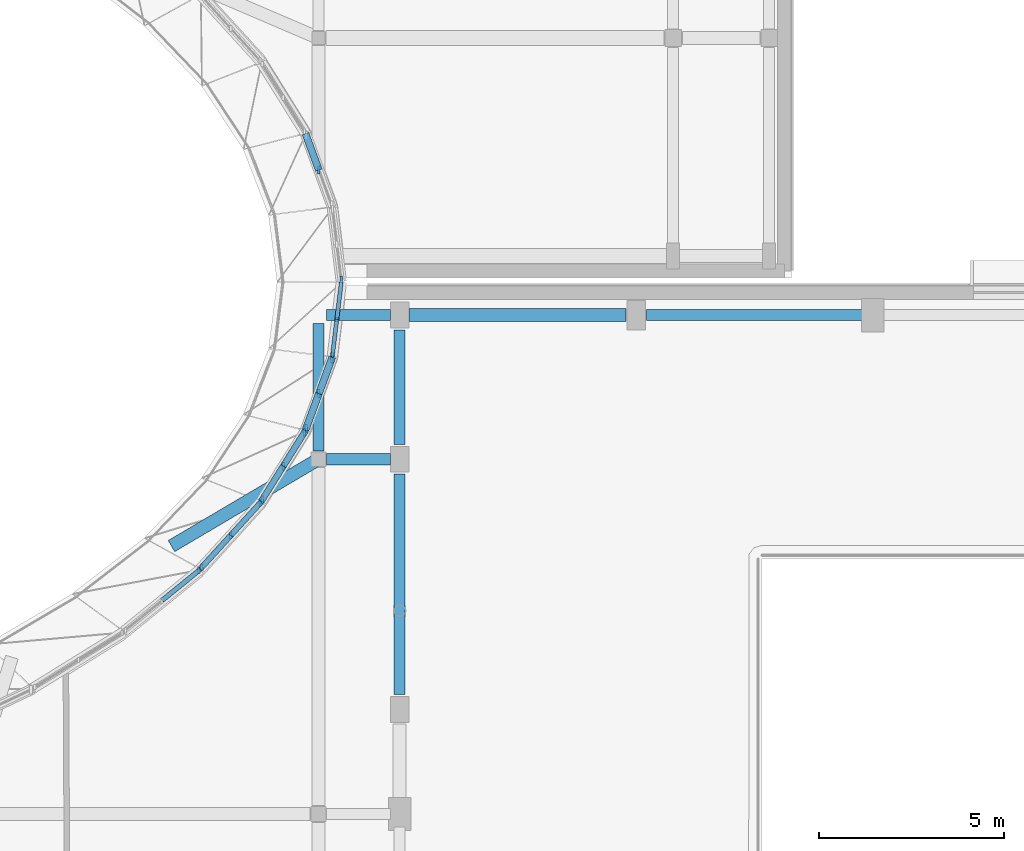
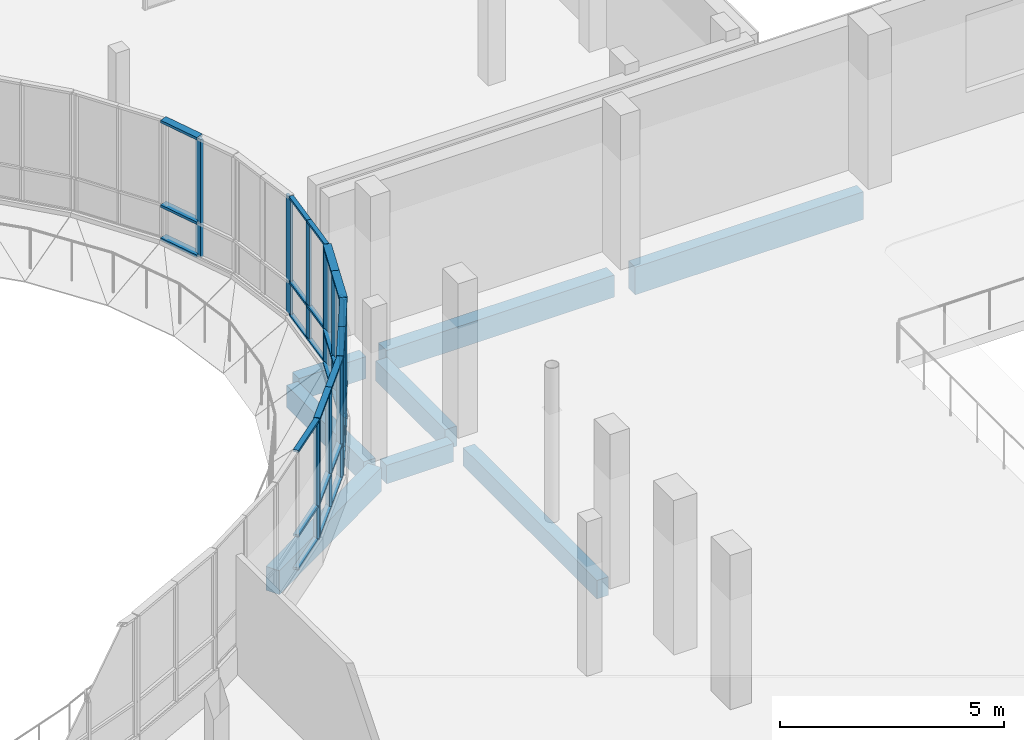
# One storey, part 25 of 84: 44 members, 8 beams, 7 elements without a shape of their own.
"""IFC4 building model written with IfcOpenShell, lengths in metres."""

import ifcopenshell
import ifcopenshell.guid

model = None  # the IFC model being written
_history = None  # IfcOwnerHistory: only IFC2X3 demands one
_inside = {}  # id of a spatial element -> (the spatial element, [elements in it])
_under = {}  # id of a project, library or spatial element -> (it, [spatial elements below it])
_declared = {}  # id of a project -> (the project, [libraries it declares])
_typed = {}  # id of a type object -> (the type object, [elements of that type])
_made_of = {}  # id of a material, layer set ... -> (it, [elements and type objects made of it])


def new_model(schema):
    """Start an empty IFC model of exactly this schema.

    Asked for "IFC4X3", IfcOpenShell would pick the latest addendum, in which some entities
    have other attributes; the version numbers below select the first issue.
    IFC2X3 requires an IfcOwnerHistory on every rooted entity: one is made here for all.
    """
    global model, _history
    if schema == "IFC4X3":
        model = ifcopenshell.file(schema_version=(4, 3, 0, 0))
    else:
        model = ifcopenshell.file(schema=schema)
    _inside.clear()
    _under.clear()
    _declared.clear()
    _typed.clear()
    _made_of.clear()
    _history = None
    if model.schema == "IFC2X3":
        org = make("IfcOrganization", Name="unknown")
        user = make(
            "IfcPersonAndOrganization",
            ThePerson=make("IfcPerson", FamilyName="unknown"),
            TheOrganization=org,
        )
        app = make(
            "IfcApplication",
            ApplicationDeveloper=org,
            Version="unknown",
            ApplicationFullName="unknown",
            ApplicationIdentifier="unknown",
        )
        _history = make(
            "IfcOwnerHistory",
            OwningUser=user,
            OwningApplication=app,
            ChangeAction="ADDED",
            CreationDate=0,
        )
    return model


def make(cls, **values):
    """One entity of the class cls with the attributes given. An attribute that is None is left unset."""
    return model.create_entity(
        cls, **{name: value for name, value in values.items() if value is not None}
    )


def rooted(cls, **values):
    """An entity with a GlobalId (a new one), such as an element, a storey or a relation."""
    return make(cls, GlobalId=ifcopenshell.guid.new(), OwnerHistory=_history, **values)


def si_unit(unit_type, name, prefix=None):
    """IfcSIUnit, for example si_unit("LENGTHUNIT", "METRE", prefix="MILLI")."""
    return make("IfcSIUnit", UnitType=unit_type, Prefix=prefix, Name=name)


def assignment(units):
    """IfcUnitAssignment: the units of a project."""
    return None if units is None else make("IfcUnitAssignment", Units=units)


def point(xyz):
    """IfcCartesianPoint."""
    return None if xyz is None else make("IfcCartesianPoint", Coordinates=xyz)


def direction(xyz):
    """IfcDirection."""
    return None if xyz is None else make("IfcDirection", DirectionRatios=xyz)


def frame(location, z_axis=None, x_axis=None):
    """IfcAxis2Placement3D, a coordinate frame: its origin and axes. An axis left out is left unset."""
    return make(
        "IfcAxis2Placement3D",
        Location=point(location),
        Axis=direction(z_axis),
        RefDirection=direction(x_axis),
    )


def frame_2d(location, x_axis=None):
    """IfcAxis2Placement2D, a coordinate frame in the plane: its origin and x axis."""
    return make(
        "IfcAxis2Placement2D", Location=point(location), RefDirection=direction(x_axis)
    )


def origin():
    """The frame at (0, 0, 0) with its axes left unset."""
    return frame((0.0, 0.0, 0.0))


def origin_2d():
    """The frame at (0, 0) in the plane with its x axis left unset."""
    return frame_2d((0.0, 0.0))


def place(relative_to, where):
    """IfcLocalPlacement: puts the frame where relative to a parent placement (None: the world)."""
    return make(
        "IfcLocalPlacement", PlacementRelTo=relative_to, RelativePlacement=where
    )


def context(
    kind, dimensions, precision=None, world=None, true_north=None, identifier=None
):
    """IfcGeometricRepresentationContext, for example the 3D "Model" context."""
    return make(
        "IfcGeometricRepresentationContext",
        ContextIdentifier=identifier,
        ContextType=kind,
        CoordinateSpaceDimension=dimensions,
        Precision=precision,
        WorldCoordinateSystem=world,
        TrueNorth=true_north,
    )


def subcontext(parent, identifier, kind, view, scale=None):
    """IfcGeometricRepresentationSubContext, for example "Body" below "Model"."""
    return make(
        "IfcGeometricRepresentationSubContext",
        ContextIdentifier=identifier,
        ContextType=kind,
        ParentContext=parent,
        TargetScale=scale,
        TargetView=view,
    )


def project(units=None, contexts=None):
    """IfcProject with its units and contexts."""
    return rooted(
        "IfcProject",
        Name="project",
        RepresentationContexts=contexts,
        UnitsInContext=assignment(units),
    )


def spatial(cls, under=None, at=None, **own):
    """A site, building, storey or space (cls), placed at a placement, below another one or the project."""
    s = rooted(cls, ObjectPlacement=at, **own)
    if under is not None:
        _under.setdefault(under.id(), (under, []))[1].append(s)
    return s


def profile(cls, at=None, kind="AREA", **sizes):
    """A parametric profile (cls). Its sizes go by their IFC names, for example OverallWidth=200.0."""
    return make(cls, ProfileType=kind, Position=at, **sizes)


def rectangle(**sizes):
    """IfcRectangleProfileDef."""
    return profile("IfcRectangleProfileDef", **sizes)


def extrude(swept, where, along, depth):
    """IfcExtrudedAreaSolid: the profile swept, set in the frame where, extruded along a direction by depth."""
    return make(
        "IfcExtrudedAreaSolid",
        SweptArea=swept,
        Position=where,
        ExtrudedDirection=direction(along),
        Depth=depth,
    )


def shape(context_of_items, identifier, shape_type, items):
    """IfcShapeRepresentation: the items that make up one representation, for example the "Body"."""
    return make(
        "IfcShapeRepresentation",
        ContextOfItems=context_of_items,
        RepresentationIdentifier=identifier,
        RepresentationType=shape_type,
        Items=items,
    )


def material(Name=None, Category=None):
    """IfcMaterial."""
    return make("IfcMaterial", Name=Name, Category=Category)


def material_profile(
    of_material, cross_section, Name=None, Category=None, Priority=None
):
    """IfcMaterialProfile: a cross section and its material."""
    return make(
        "IfcMaterialProfile",
        Name=Name,
        Material=of_material,
        Profile=cross_section,
        Priority=Priority,
        Category=Category,
    )


def profile_set(profiles, Name=None, composite=None):
    """IfcMaterialProfileSet."""
    return make(
        "IfcMaterialProfileSet",
        Name=Name,
        MaterialProfiles=profiles,
        CompositeProfile=composite,
    )


def made_of(thing, what):
    """Note that an element or type object is made of a material, layer set ...; save() writes the relation."""
    if what is not None:
        _made_of.setdefault(what.id(), (what, []))[1].append(thing)
    return thing


def type_object(cls, material=None, **own):
    """A type object (cls), such as IfcWallType, which elements share."""
    return made_of(rooted(cls, **own), material)


def element(
    cls,
    number,
    at=None,
    inside=None,
    cuts=None,
    type_object=None,
    material=None,
    context=None,
    identifier="Body",
    shape_type=None,
    held_by="IfcProductDefinitionShape",
    body=None,
    shapes=None,
    **own,
):
    """One element of the class cls, such as IfcWall. Its Tag is "e" and its number.

    at: its placement. inside: the storey or other place that contains it. cuts: it is an
    opening in that element (IfcRelVoidsElement). A single representation is given by context,
    identifier, shape_type and body (its items); several are given by shapes. held_by: the class
    of the entity that holds the representations. save() writes the other relations.
    """
    e = rooted(cls, Tag="e%d" % number, ObjectPlacement=at, **own)
    if body is not None:
        shapes = [shape(context, identifier, shape_type, body)]
    if shapes is not None:
        e.Representation = make(held_by, Representations=shapes)
    if inside is not None:
        _inside.setdefault(inside.id(), (inside, []))[1].append(e)
    if cuts is not None:
        rooted(
            "IfcRelVoidsElement", RelatingBuildingElement=cuts, RelatedOpeningElement=e
        )
    if type_object is not None:
        _typed.setdefault(type_object.id(), (type_object, []))[1].append(e)
    return made_of(e, material)


def aggregate(whole, parts):
    """IfcRelAggregates: a whole, such as a stair, and the parts it consists of."""
    return rooted("IfcRelAggregates", RelatingObject=whole, RelatedObjects=parts)


def save(model, path):
    """Write the relations noted so far, then the file.

    IfcRelAggregates (storeys below a building ...), IfcRelContainedInSpatialStructure (elements
    in a storey), IfcRelDefinesByType, IfcRelAssociatesMaterial and IfcRelDeclares: one each for
    every whole, place, type object, material and project.
    """
    for whole, parts in _under.values():
        aggregate(whole, parts)
    for where, things in _inside.values():
        rooted(
            "IfcRelContainedInSpatialStructure",
            RelatedElements=things,
            RelatingStructure=where,
        )
    for kind, things in _typed.values():
        rooted("IfcRelDefinesByType", RelatedObjects=things, RelatingType=kind)
    for what, things in _made_of.values():
        rooted("IfcRelAssociatesMaterial", RelatedObjects=things, RelatingMaterial=what)
    for by, libraries in _declared.values():
        rooted("IfcRelDeclares", RelatingContext=by, RelatedDefinitions=libraries)
    model.write(path)


model = new_model("IFC4")

# Units and contexts
model_context = context("Model", 3, precision=1e-05, world=origin(), true_north=direction((0.0, 1.0)))
body_context = subcontext(model_context, "Body", "Model", "MODEL_VIEW")
ifc_project = project(units=[si_unit("LENGTHUNIT", "METRE"), si_unit("AREAUNIT", "SQUARE_METRE"), si_unit("VOLUMEUNIT", "CUBIC_METRE"), si_unit("PLANEANGLEUNIT", "RADIAN"), si_unit("MASSUNIT", "GRAM", prefix="KILO")], contexts=[model_context])

# Site, building, storey
site_placement = place(None, origin())
site = spatial("IfcSite", under=ifc_project, at=site_placement, CompositionType="ELEMENT")
building_placement = place(site_placement, origin())
building = spatial("IfcBuilding", under=site, at=building_placement, Name="Mzevani Central Library", CompositionType="ELEMENT")
storey_placement = place(building_placement, frame((0.0, 0.0, 5.39990234375)))
storey = spatial("IfcBuildingStorey", under=building, at=storey_placement, Name="L01", CompositionType="ELEMENT", Elevation=5.39990234375)

# Beams
ifc_material_1 = material(Name="Concrete C35/45", Category="concrete")
ifc_material_profile_1 = material_profile(ifc_material_1, rectangle(XDim=0.300048828125, YDim=0.5, at=origin_2d()), Name="RC B300x500")
ifc_profile_set_1 = profile_set([ifc_material_profile_1], Name="Concrete C35/45")
beam_type_1 = type_object("IfcBeamType", Name="Beam RC 300x500", PredefinedType="BEAM", material=ifc_profile_set_1)
beam_1_placement = place(storey_placement, frame((112.22509765625, 71.199951171875, -0.510009765625), z_axis=(1.0, 0.0, 0.0), x_axis=(0.0, 1.0, 0.0)))
element("IfcBeam", 1, at=beam_1_placement, inside=storey, type_object=beam_type_1, Name="L01 V1 Girder B-01 (32)", PredefinedType="BEAM", context=body_context, shape_type="SweptSolid", body=[
    extrude(rectangle(XDim=0.300048828125, YDim=0.5, at=origin_2d()), origin(), (0.0, 0.0, 1.0), 1.724853515625),
])
beam_2_placement = place(storey_placement, frame((114.199951171875, 64.8330078125, -0.510009765625), z_axis=(0.0, 1.0, 0.0), x_axis=(-1.0, 0.0, 0.0)))
element("IfcBeam", 2, at=beam_2_placement, inside=storey, type_object=beam_type_1, Name="L01 V1 Frame Beam B-01 (64)", PredefinedType="BEAM", context=body_context, shape_type="SweptSolid", body=[
    extrude(rectangle(XDim=0.300048828125, YDim=0.5, at=origin_2d()), origin(), (0.0, 0.0, 1.0), 5.967041015625),
])
ifc_material_profile_2 = material_profile(ifc_material_1, rectangle(XDim=0.300048828125, YDim=0.550048828125, at=origin_2d()), Name="RC B300x550")
ifc_profile_set_2 = profile_set([ifc_material_profile_2], Name="Concrete C35/45")
beam_type_2 = type_object("IfcBeamType", Name="Beam RC 300x550", PredefinedType="BEAM", material=ifc_profile_set_2)
beam_3_placement = place(storey_placement, frame((114.199951171875, 71.60009765625, -0.534912109375), z_axis=(0.0, 1.0, 0.0), x_axis=(-1.0, 0.0, 0.0)))
element("IfcBeam", 3, at=beam_3_placement, inside=storey, type_object=beam_type_2, Name="L01 V1 Frame Beam B-02 (65)", PredefinedType="BEAM", context=body_context, shape_type="SweptSolid", body=[
    extrude(rectangle(XDim=0.300048828125, YDim=0.550048828125, at=origin_2d()), origin(), (0.0, 0.0, 1.0), 3.099853515625),
])
ifc_material_profile_3 = material_profile(ifc_material_1, rectangle(XDim=0.300048828125, YDim=0.60009765625, at=origin_2d()), Name="RC B300x600")
ifc_profile_set_3 = profile_set([ifc_material_profile_3], Name="Concrete C35/45")
beam_type_3 = type_object("IfcBeamType", Name="Beam RC 300x600", PredefinedType="BEAM", material=ifc_profile_set_3)
beam_4_placement = place(storey_placement, frame((112.22509765625, 75.10009765625, -0.559814453125), z_axis=(1.0, 0.0, 0.0), x_axis=(0.0, 1.0, 0.0)))
element("IfcBeam", 4, at=beam_4_placement, inside=storey, type_object=beam_type_3, Name="L01 V1 Girder B-03 (34)", PredefinedType="BEAM", context=body_context, shape_type="SweptSolid", body=[
    extrude(rectangle(XDim=0.300048828125, YDim=0.60009765625, at=origin_2d()), origin(), (0.0, 0.0, 1.0), 1.724853515625),
])
beam_5_placement = place(storey_placement, frame((112.0, 71.425048828125, -0.559814453125), z_axis=(0.0, 1.0, 0.0), x_axis=(-1.0, 0.0, 0.0)))
element("IfcBeam", 5, at=beam_5_placement, inside=storey, type_object=beam_type_3, Name="L01 V1 Frame Beam B-03 (58)", PredefinedType="BEAM", context=body_context, shape_type="SweptSolid", body=[
    extrude(rectangle(XDim=0.300048828125, YDim=0.60009765625, at=origin_2d()), origin(), (0.0, 0.0, 1.0), 3.449951171875),
])
ifc_material_profile_4 = material_profile(ifc_material_1, rectangle(XDim=0.35009765625, YDim=0.60009765625, at=origin_2d()), Name="RC B350x600")
ifc_profile_set_4 = profile_set([ifc_material_profile_4], Name="Concrete C35/45")
beam_type_4 = type_object("IfcBeamType", Name="Beam RC 350x600", PredefinedType="BEAM", material=ifc_profile_set_4)
beam_6_placement = place(storey_placement, frame((114.449951171875, 75.10009765625, -0.559814453125), z_axis=(1.0, 0.0, 0.0), x_axis=(0.0, 1.0, 0.0)))
element("IfcBeam", 6, at=beam_6_placement, inside=storey, type_object=beam_type_4, Name="L01 V1 Girder B-04 (35)", PredefinedType="BEAM", context=body_context, shape_type="SweptSolid", body=[
    extrude(rectangle(XDim=0.35009765625, YDim=0.60009765625, at=origin_2d()), origin(), (0.0, 0.0, 1.0), 5.875),
])
ifc_material_profile_5 = material_profile(ifc_material_1, rectangle(XDim=0.35009765625, YDim=0.64990234375, at=origin_2d()), Name="RC B350x650")
ifc_profile_set_5 = profile_set([ifc_material_profile_5], Name="Concrete C35/45")
beam_type_5 = type_object("IfcBeamType", Name="Beam RC 350x650", PredefinedType="BEAM", material=ifc_profile_set_5)
beam_7_placement = place(storey_placement, frame((108.02392578125, 68.85107421875, -0.5849609375), z_axis=(0.860985461005, 0.508629566519, 0.0), x_axis=(-0.508629566519, 0.860985461005, 0.0)))
element("IfcBeam", 7, at=beam_7_placement, inside=storey, type_object=beam_type_5, Name="L01 V1 Court Ring Beam 15", PredefinedType="BEAM", context=body_context, shape_type="SweptSolid", body=[
    extrude(rectangle(XDim=0.35009765625, YDim=0.64990234375, at=origin_2d()), origin(), (0.0, 0.0, 1.0), 4.6181640625),
])

# Curtain wall, members
ifc_material_2 = material(Name="Thermally broken aluminium and Low-E triple glazing", Category="aluminium")
curtain_wall_type_1 = type_object("IfcCurtainWallType", Name="Elliptical Court Unitised Curtain Wall", PredefinedType="NOTDEFINED", material=ifc_material_2)
curtain_wall_1_placement = place(storey_placement, origin())
curtain_wall_1 = element("IfcCurtainWall", 8, at=curtain_wall_1_placement, inside=storey, type_object=curtain_wall_type_1, Name="L01 Elliptical Court Curtain Wall 48", PredefinedType="NOTDEFINED")
ifc_material_3 = material(Name="Thermally broken aluminium AW-6060", Category="aluminium")
ifc_material_profile_6 = material_profile(ifc_material_3, rectangle(XDim=0.06005859375, YDim=0.139892578125, at=origin_2d()), Name="ALU M60x140")
ifc_profile_set_6 = profile_set([ifc_material_profile_6], Name="Thermally broken aluminium AW-6060")
member_type_1 = type_object("IfcMemberType", Name="CW Mullion 60x140", PredefinedType="MULLION", material=ifc_profile_set_6)
member_1_placement = place(storey_placement, frame((112.3828125, 74.030029296875, 0.72021484375), z_axis=(0.0, 0.0, 1.0), x_axis=(1.0, 0.0, 0.0)))
member_1 = element("IfcMember", 9, at=member_1_placement, type_object=member_type_1, Name="L01 Elliptical Court Curtain Wall 48 Mullion 1", PredefinedType="MULLION", context=body_context, shape_type="SweptSolid", body=[
    extrude(rectangle(XDim=0.06005859375, YDim=0.139892578125, at=origin_2d()), origin(), (0.0, 0.0, 1.0), 3.199951171875),
])
member_2_placement = place(storey_placement, frame((112.498291015625, 74.986328125, 0.72021484375), z_axis=(0.0, 0.0, 1.0), x_axis=(1.0, 0.0, 0.0)))
member_2 = element("IfcMember", 10, at=member_2_placement, type_object=member_type_1, Name="L01 Elliptical Court Curtain Wall 48 Mullion 2", PredefinedType="MULLION", context=body_context, shape_type="SweptSolid", body=[
    extrude(rectangle(XDim=0.06005859375, YDim=0.139892578125, at=origin_2d()), origin(), (0.0, 0.0, 1.0), 3.199951171875),
])

# Curtain wall, member
curtain_wall_2_placement = place(storey_placement, origin())
curtain_wall_2 = element("IfcCurtainWall", 11, at=curtain_wall_2_placement, inside=storey, type_object=curtain_wall_type_1, Name="L01 Elliptical Court Curtain Wall 44", PredefinedType="NOTDEFINED")
ifc_material_profile_7 = material_profile(ifc_material_3, rectangle(XDim=0.06005859375, YDim=0.159912109375, at=origin_2d()), Name="ALU M60x160")
ifc_profile_set_7 = profile_set([ifc_material_profile_7], Name="Thermally broken aluminium AW-6060")
member_type_2 = type_object("IfcMemberType", Name="CW Mullion 60x160", PredefinedType="MULLION", material=ifc_profile_set_7)
member_3_placement = place(storey_placement, frame((108.76318359375, 68.187255859375, 0.72021484375), z_axis=(0.0, 0.0, 1.0), x_axis=(1.0, 0.0, 0.0)))
member_3 = element("IfcMember", 12, at=member_3_placement, type_object=member_type_2, Name="L01 Elliptical Court Curtain Wall 44 Mullion 3", PredefinedType="MULLION", context=body_context, shape_type="SweptSolid", body=[
    extrude(rectangle(XDim=0.06005859375, YDim=0.159912109375, at=origin_2d()), origin(), (0.0, 0.0, 1.0), 3.199951171875),
])

# Curtain wall, members
curtain_wall_3_placement = place(storey_placement, origin())
curtain_wall_3 = element("IfcCurtainWall", 13, at=curtain_wall_3_placement, inside=storey, type_object=curtain_wall_type_1, Name="L01 Elliptical Court Curtain Wall 45", PredefinedType="NOTDEFINED")
ifc_material_profile_8 = material_profile(ifc_material_3, rectangle(XDim=0.06005859375, YDim=0.179931640625, at=origin_2d()), Name="ALU M60x180")
ifc_profile_set_8 = profile_set([ifc_material_profile_8], Name="Thermally broken aluminium AW-6060")
member_type_3 = type_object("IfcMemberType", Name="CW Mullion 60x180", PredefinedType="MULLION", material=ifc_profile_set_8)
member_4_placement = place(storey_placement, frame((108.84130859375, 68.27392578125, 0.72021484375), z_axis=(0.0, 0.0, 1.0), x_axis=(1.0, 0.0, 0.0)))
member_4 = element("IfcMember", 14, at=member_4_placement, type_object=member_type_3, Name="L01 Elliptical Court Curtain Wall 45 Mullion 1", PredefinedType="MULLION", context=body_context, shape_type="SweptSolid", body=[
    extrude(rectangle(XDim=0.06005859375, YDim=0.179931640625, at=origin_2d()), origin(), (0.0, 0.0, 1.0), 3.199951171875),
])
member_5_placement = place(storey_placement, frame((109.629150390625, 69.14111328125, 0.72021484375), z_axis=(0.0, 0.0, 1.0), x_axis=(1.0, 0.0, 0.0)))
member_5 = element("IfcMember", 15, at=member_5_placement, type_object=member_type_3, Name="L01 Elliptical Court Curtain Wall 45 Mullion 2", PredefinedType="MULLION", context=body_context, shape_type="SweptSolid", body=[
    extrude(rectangle(XDim=0.06005859375, YDim=0.179931640625, at=origin_2d()), origin(), (0.0, 0.0, 1.0), 3.199951171875),
])
member_6_placement = place(storey_placement, frame((110.4169921875, 70.008056640625, 0.72021484375), z_axis=(0.0, 0.0, 1.0), x_axis=(1.0, 0.0, 0.0)))
member_6 = element("IfcMember", 16, at=member_6_placement, type_object=member_type_3, Name="L01 Elliptical Court Curtain Wall 45 Mullion 3", PredefinedType="MULLION", context=body_context, shape_type="SweptSolid", body=[
    extrude(rectangle(XDim=0.06005859375, YDim=0.179931640625, at=origin_2d()), origin(), (0.0, 0.0, 1.0), 3.199951171875),
])

# Curtain wall, member
curtain_wall_type_2 = type_object("IfcCurtainWallType", Name="Reading Hall Northlight Curtain Wall", PredefinedType="NOTDEFINED", material=ifc_material_2)
curtain_wall_4_placement = place(storey_placement, origin())
curtain_wall_4 = element("IfcCurtainWall", 17, at=curtain_wall_4_placement, inside=storey, type_object=curtain_wall_type_2, Name="L01 Elliptical Court Curtain Wall 1", PredefinedType="NOTDEFINED")
ifc_material_profile_9 = material_profile(ifc_material_3, rectangle(XDim=0.06494140625, YDim=0.199951171875, at=origin_2d()), Name="ALU M65x200")
ifc_profile_set_9 = profile_set([ifc_material_profile_9], Name="Thermally broken aluminium AW-6060")
member_type_4 = type_object("IfcMemberType", Name="CW Mullion 65x200", PredefinedType="MULLION", material=ifc_profile_set_9)
member_7_placement = place(storey_placement, frame((112.614013671875, 76.057373046875, 0.72021484375), z_axis=(0.0, 0.0, 1.0), x_axis=(1.0, 0.0, 0.0)))
member_7 = element("IfcMember", 18, at=member_7_placement, type_object=member_type_4, Name="L01 Elliptical Court Curtain Wall 1 Mullion 1", PredefinedType="MULLION", context=body_context, shape_type="SweptSolid", body=[
    extrude(rectangle(XDim=0.06494140625, YDim=0.199951171875, at=origin_2d()), origin(), (0.0, 0.0, 1.0), 3.199951171875),
])
aggregate(curtain_wall_4, [member_7])

# Curtain wall, members
curtain_wall_5_placement = place(storey_placement, origin())
curtain_wall_5 = element("IfcCurtainWall", 19, at=curtain_wall_5_placement, inside=storey, type_object=curtain_wall_type_2, Name="L01 Elliptical Court Curtain Wall 46", PredefinedType="NOTDEFINED")
member_8_placement = place(storey_placement, frame((110.48095703125, 70.1044921875, 0.72021484375), z_axis=(0.0, 0.0, 1.0), x_axis=(1.0, 0.0, 0.0)))
member_8 = element("IfcMember", 20, at=member_8_placement, type_object=member_type_4, Name="L01 Elliptical Court Curtain Wall 46 Mullion 1", PredefinedType="MULLION", context=body_context, shape_type="SweptSolid", body=[
    extrude(rectangle(XDim=0.06494140625, YDim=0.199951171875, at=origin_2d()), origin(), (0.0, 0.0, 1.0), 3.199951171875),
])
member_9_placement = place(storey_placement, frame((111.051513671875, 71.0166015625, 0.72021484375), z_axis=(0.0, 0.0, 1.0), x_axis=(1.0, 0.0, 0.0)))
member_9 = element("IfcMember", 21, at=member_9_placement, type_object=member_type_4, Name="L01 Elliptical Court Curtain Wall 46 Mullion 2", PredefinedType="MULLION", context=body_context, shape_type="SweptSolid", body=[
    extrude(rectangle(XDim=0.06494140625, YDim=0.199951171875, at=origin_2d()), origin(), (0.0, 0.0, 1.0), 3.199951171875),
])
member_10_placement = place(storey_placement, frame((111.6220703125, 71.9287109375, 0.72021484375), z_axis=(0.0, 0.0, 1.0), x_axis=(1.0, 0.0, 0.0)))
member_10 = element("IfcMember", 22, at=member_10_placement, type_object=member_type_4, Name="L01 Elliptical Court Curtain Wall 46 Mullion 3", PredefinedType="MULLION", context=body_context, shape_type="SweptSolid", body=[
    extrude(rectangle(XDim=0.06494140625, YDim=0.199951171875, at=origin_2d()), origin(), (0.0, 0.0, 1.0), 3.199951171875),
])

# Curtain wall, member
curtain_wall_6_placement = place(storey_placement, origin())
curtain_wall_6 = element("IfcCurtainWall", 23, at=curtain_wall_6_placement, inside=storey, type_object=curtain_wall_type_1, Name="L01 Elliptical Court Curtain Wall 2", PredefinedType="NOTDEFINED")
ifc_material_profile_10 = material_profile(ifc_material_3, rectangle(XDim=0.070068359375, YDim=0.219970703125, at=origin_2d()), Name="ALU M70x220")
ifc_profile_set_10 = profile_set([ifc_material_profile_10], Name="Thermally broken aluminium AW-6060")
member_type_5 = type_object("IfcMemberType", Name="CW Mullion 70x220", PredefinedType="MULLION", material=ifc_profile_set_10)
member_11_placement = place(storey_placement, frame((112.013427734375, 79.02392578125, 0.72021484375), z_axis=(0.0, 0.0, 1.0), x_axis=(1.0, 0.0, 0.0)))
member_11 = element("IfcMember", 24, at=member_11_placement, type_object=member_type_5, Name="L01 Elliptical Court Curtain Wall 2 Mullion 2", PredefinedType="MULLION", context=body_context, shape_type="SweptSolid", body=[
    extrude(rectangle(XDim=0.070068359375, YDim=0.219970703125, at=origin_2d()), origin(), (0.0, 0.0, 1.0), 3.199951171875),
])

# Curtain wall, members
curtain_wall_7_placement = place(storey_placement, origin())
curtain_wall_7 = element("IfcCurtainWall", 25, at=curtain_wall_7_placement, inside=storey, type_object=curtain_wall_type_1, Name="L01 Elliptical Court Curtain Wall 47", PredefinedType="NOTDEFINED")
member_12_placement = place(storey_placement, frame((111.668212890625, 72.034423828125, 0.72021484375), z_axis=(0.0, 0.0, 1.0), x_axis=(1.0, 0.0, 0.0)))
member_12 = element("IfcMember", 26, at=member_12_placement, type_object=member_type_5, Name="L01 Elliptical Court Curtain Wall 47 Mullion 1", PredefinedType="MULLION", context=body_context, shape_type="SweptSolid", body=[
    extrude(rectangle(XDim=0.070068359375, YDim=0.219970703125, at=origin_2d()), origin(), (0.0, 0.0, 1.0), 3.199951171875),
])
member_13_placement = place(storey_placement, frame((112.013427734375, 72.97607421875, 0.72021484375), z_axis=(0.0, 0.0, 1.0), x_axis=(1.0, 0.0, 0.0)))
member_13 = element("IfcMember", 27, at=member_13_placement, type_object=member_type_5, Name="L01 Elliptical Court Curtain Wall 47 Mullion 2", PredefinedType="MULLION", context=body_context, shape_type="SweptSolid", body=[
    extrude(rectangle(XDim=0.070068359375, YDim=0.219970703125, at=origin_2d()), origin(), (0.0, 0.0, 1.0), 3.199951171875),
])
member_14_placement = place(storey_placement, frame((112.358642578125, 73.917724609375, 0.72021484375), z_axis=(0.0, 0.0, 1.0), x_axis=(1.0, 0.0, 0.0)))
member_14 = element("IfcMember", 28, at=member_14_placement, type_object=member_type_5, Name="L01 Elliptical Court Curtain Wall 47 Mullion 3", PredefinedType="MULLION", context=body_context, shape_type="SweptSolid", body=[
    extrude(rectangle(XDim=0.070068359375, YDim=0.219970703125, at=origin_2d()), origin(), (0.0, 0.0, 1.0), 3.199951171875),
])

# Member
ifc_material_profile_11 = material_profile(ifc_material_3, rectangle(XDim=0.110107421875, YDim=0.06005859375, at=origin_2d()), Name="ALU T60x110")
ifc_profile_set_11 = profile_set([ifc_material_profile_11], Name="Thermally broken aluminium AW-6060")
member_type_6 = type_object("IfcMemberType", Name="CW Transom 60x110", PredefinedType="USERDEFINED", material=ifc_profile_set_11)
member_15_placement = place(storey_placement, frame((112.376953125, 73.98046875, 0.72021484375), z_axis=(0.119762829535, 0.992802530548, 0.0), x_axis=(-0.992802530548, 0.119762829535, 0.0)))
member_15 = element("IfcMember", 29, at=member_15_placement, type_object=member_type_6, Name="L01 Elliptical Court Curtain Wall 48 Transom 1", ObjectType="TRANSOM", PredefinedType="USERDEFINED", context=body_context, shape_type="SweptSolid", body=[
    extrude(rectangle(XDim=0.110107421875, YDim=0.06005859375, at=origin_2d()), origin(), (0.0, 0.0, 1.0), 1.01318359375),
])

member_16_placement = place(storey_placement, frame((112.376953125, 73.98046875, 1.6201171875), z_axis=(0.119762829535, 0.992802530548, 0.0), x_axis=(-0.992802530548, 0.119762829535, 0.0)))
member_16 = element("IfcMember", 30, at=member_16_placement, type_object=member_type_6, Name="L01 Elliptical Court Curtain Wall 48 Transom 2", ObjectType="TRANSOM", PredefinedType="USERDEFINED", context=body_context, shape_type="SweptSolid", body=[
    extrude(rectangle(XDim=0.110107421875, YDim=0.06005859375, at=origin_2d()), origin(), (0.0, 0.0, 1.0), 1.01318359375),
])

member_17_placement = place(storey_placement, frame((112.376953125, 73.98046875, 3.920166015625), z_axis=(0.119762829535, 0.992802530548, 0.0), x_axis=(-0.992802530548, 0.119762829535, 0.0)))
member_17 = element("IfcMember", 31, at=member_17_placement, type_object=member_type_6, Name="L01 Elliptical Court Curtain Wall 48 Transom 3", ObjectType="TRANSOM", PredefinedType="USERDEFINED", context=body_context, shape_type="SweptSolid", body=[
    extrude(rectangle(XDim=0.110107421875, YDim=0.06005859375, at=origin_2d()), origin(), (0.0, 0.0, 1.0), 1.01318359375),
])

member_18_placement = place(storey_placement, frame((112.498291015625, 74.986328125, 0.72021484375), z_axis=(0.120000334448, 0.992773851253, 0.0), x_axis=(-0.992773851253, 0.120000334448, 0.0)))
member_18 = element("IfcMember", 32, at=member_18_placement, type_object=member_type_6, Name="L01 Elliptical Court Curtain Wall 48 Transom 4", ObjectType="TRANSOM", PredefinedType="USERDEFINED", context=body_context, shape_type="SweptSolid", body=[
    extrude(rectangle(XDim=0.110107421875, YDim=0.06005859375, at=origin_2d()), origin(), (0.0, 0.0, 1.0), 1.01318359375),
])

member_19_placement = place(storey_placement, frame((112.498291015625, 74.986328125, 1.6201171875), z_axis=(0.120000334448, 0.992773851253, 0.0), x_axis=(-0.992773851253, 0.120000334448, 0.0)))
member_19 = element("IfcMember", 33, at=member_19_placement, type_object=member_type_6, Name="L01 Elliptical Court Curtain Wall 48 Transom 5", ObjectType="TRANSOM", PredefinedType="USERDEFINED", context=body_context, shape_type="SweptSolid", body=[
    extrude(rectangle(XDim=0.110107421875, YDim=0.06005859375, at=origin_2d()), origin(), (0.0, 0.0, 1.0), 1.01318359375),
])

member_20_placement = place(storey_placement, frame((112.498291015625, 74.986328125, 3.920166015625), z_axis=(0.120000334448, 0.992773851253, 0.0), x_axis=(-0.992773851253, 0.120000334448, 0.0)))
member_20 = element("IfcMember", 34, at=member_20_placement, type_object=member_type_6, Name="L01 Elliptical Court Curtain Wall 48 Transom 6", ObjectType="TRANSOM", PredefinedType="USERDEFINED", context=body_context, shape_type="SweptSolid", body=[
    extrude(rectangle(XDim=0.110107421875, YDim=0.06005859375, at=origin_2d()), origin(), (0.0, 0.0, 1.0), 1.01318359375),
])

aggregate(curtain_wall_1, [member_1, member_2, member_15, member_16, member_17, member_18, member_19, member_20])

ifc_material_profile_12 = material_profile(ifc_material_3, rectangle(XDim=0.1298828125, YDim=0.06005859375, at=origin_2d()), Name="ALU T60x130")
ifc_profile_set_12 = profile_set([ifc_material_profile_12], Name="Thermally broken aluminium AW-6060")
member_type_7 = type_object("IfcMemberType", Name="CW Transom 60x130", PredefinedType="USERDEFINED", material=ifc_profile_set_12)
member_21_placement = place(storey_placement, frame((107.77001953125, 67.380615234375, 0.72021484375), z_axis=(0.776243179452, 0.63043360186, 0.0), x_axis=(-0.63043360186, 0.776243179452, 0.0)))
member_21 = element("IfcMember", 35, at=member_21_placement, type_object=member_type_7, Name="L01 Elliptical Court Curtain Wall 44 Transom 4", ObjectType="TRANSOM", PredefinedType="USERDEFINED", context=body_context, shape_type="SweptSolid", body=[
    extrude(rectangle(XDim=0.1298828125, YDim=0.06005859375, at=origin_2d()), origin(), (0.0, 0.0, 1.0), 1.329345703125),
])

member_22_placement = place(storey_placement, frame((107.77001953125, 67.380615234375, 1.6201171875), z_axis=(0.776243179452, 0.63043360186, 0.0), x_axis=(-0.63043360186, 0.776243179452, 0.0)))
member_22 = element("IfcMember", 36, at=member_22_placement, type_object=member_type_7, Name="L01 Elliptical Court Curtain Wall 44 Transom 5", ObjectType="TRANSOM", PredefinedType="USERDEFINED", context=body_context, shape_type="SweptSolid", body=[
    extrude(rectangle(XDim=0.1298828125, YDim=0.06005859375, at=origin_2d()), origin(), (0.0, 0.0, 1.0), 1.329345703125),
])

member_23_placement = place(storey_placement, frame((107.77001953125, 67.380615234375, 3.920166015625), z_axis=(0.776243179452, 0.63043360186, 0.0), x_axis=(-0.63043360186, 0.776243179452, 0.0)))
member_23 = element("IfcMember", 37, at=member_23_placement, type_object=member_type_7, Name="L01 Elliptical Court Curtain Wall 44 Transom 6", ObjectType="TRANSOM", PredefinedType="USERDEFINED", context=body_context, shape_type="SweptSolid", body=[
    extrude(rectangle(XDim=0.1298828125, YDim=0.06005859375, at=origin_2d()), origin(), (0.0, 0.0, 1.0), 1.329345703125),
])

aggregate(curtain_wall_2, [member_3, member_21, member_22, member_23])

ifc_material_profile_13 = material_profile(ifc_material_3, rectangle(XDim=0.14990234375, YDim=0.06005859375, at=origin_2d()), Name="ALU T60x150")
ifc_profile_set_13 = profile_set([ifc_material_profile_13], Name="Thermally broken aluminium AW-6060")
member_type_8 = type_object("IfcMemberType", Name="CW Transom 60x150", PredefinedType="USERDEFINED", material=ifc_profile_set_13)
member_24_placement = place(storey_placement, frame((108.8076171875, 68.237060546875, 0.72021484375), z_axis=(0.67252356476, 0.740075708858, 0.0), x_axis=(-0.740075708858, 0.67252356476, 0.0)))
member_24 = element("IfcMember", 38, at=member_24_placement, type_object=member_type_8, Name="L01 Elliptical Court Curtain Wall 45 Transom 1", ObjectType="TRANSOM", PredefinedType="USERDEFINED", context=body_context, shape_type="SweptSolid", body=[
    extrude(rectangle(XDim=0.14990234375, YDim=0.06005859375, at=origin_2d()), origin(), (0.0, 0.0, 1.0), 1.2216796875),
])

member_25_placement = place(storey_placement, frame((108.8076171875, 68.237060546875, 1.6201171875), z_axis=(0.67252356476, 0.740075708858, 0.0), x_axis=(-0.740075708858, 0.67252356476, 0.0)))
member_25 = element("IfcMember", 39, at=member_25_placement, type_object=member_type_8, Name="L01 Elliptical Court Curtain Wall 45 Transom 2", ObjectType="TRANSOM", PredefinedType="USERDEFINED", context=body_context, shape_type="SweptSolid", body=[
    extrude(rectangle(XDim=0.14990234375, YDim=0.06005859375, at=origin_2d()), origin(), (0.0, 0.0, 1.0), 1.2216796875),
])

member_26_placement = place(storey_placement, frame((108.8076171875, 68.237060546875, 3.920166015625), z_axis=(0.67252356476, 0.740075708858, 0.0), x_axis=(-0.740075708858, 0.67252356476, 0.0)))
member_26 = element("IfcMember", 40, at=member_26_placement, type_object=member_type_8, Name="L01 Elliptical Court Curtain Wall 45 Transom 3", ObjectType="TRANSOM", PredefinedType="USERDEFINED", context=body_context, shape_type="SweptSolid", body=[
    extrude(rectangle(XDim=0.14990234375, YDim=0.06005859375, at=origin_2d()), origin(), (0.0, 0.0, 1.0), 1.2216796875),
])

member_27_placement = place(storey_placement, frame((109.629150390625, 69.14111328125, 0.72021484375), z_axis=(0.67252356476, 0.740075708858, 0.0), x_axis=(-0.740075708858, 0.67252356476, 0.0)))
member_27 = element("IfcMember", 41, at=member_27_placement, type_object=member_type_8, Name="L01 Elliptical Court Curtain Wall 45 Transom 4", ObjectType="TRANSOM", PredefinedType="USERDEFINED", context=body_context, shape_type="SweptSolid", body=[
    extrude(rectangle(XDim=0.14990234375, YDim=0.06005859375, at=origin_2d()), origin(), (0.0, 0.0, 1.0), 1.2216796875),
])

member_28_placement = place(storey_placement, frame((109.629150390625, 69.14111328125, 1.6201171875), z_axis=(0.67252356476, 0.740075708858, 0.0), x_axis=(-0.740075708858, 0.67252356476, 0.0)))
member_28 = element("IfcMember", 42, at=member_28_placement, type_object=member_type_8, Name="L01 Elliptical Court Curtain Wall 45 Transom 5", ObjectType="TRANSOM", PredefinedType="USERDEFINED", context=body_context, shape_type="SweptSolid", body=[
    extrude(rectangle(XDim=0.14990234375, YDim=0.06005859375, at=origin_2d()), origin(), (0.0, 0.0, 1.0), 1.2216796875),
])

member_29_placement = place(storey_placement, frame((109.629150390625, 69.14111328125, 3.920166015625), z_axis=(0.67252356476, 0.740075708858, 0.0), x_axis=(-0.740075708858, 0.67252356476, 0.0)))
member_29 = element("IfcMember", 43, at=member_29_placement, type_object=member_type_8, Name="L01 Elliptical Court Curtain Wall 45 Transom 6", ObjectType="TRANSOM", PredefinedType="USERDEFINED", context=body_context, shape_type="SweptSolid", body=[
    extrude(rectangle(XDim=0.14990234375, YDim=0.06005859375, at=origin_2d()), origin(), (0.0, 0.0, 1.0), 1.2216796875),
])

aggregate(curtain_wall_3, [member_4, member_5, member_6, member_24, member_25, member_26, member_27, member_28, member_29])

ifc_material_profile_14 = material_profile(ifc_material_3, rectangle(XDim=0.169921875, YDim=0.06494140625, at=origin_2d()), Name="ALU T65x170")
ifc_profile_set_14 = profile_set([ifc_material_profile_14], Name="Thermally broken aluminium AW-6060")
member_type_9 = type_object("IfcMemberType", Name="CW Transom 65x170", PredefinedType="USERDEFINED", material=ifc_profile_set_14)
member_30_placement = place(storey_placement, frame((110.45458984375, 70.06201171875, 0.72021484375), z_axis=(0.530193845731, 0.847876456772, 0.0), x_axis=(-0.847876456772, 0.530193845731, 0.0)))
member_30 = element("IfcMember", 44, at=member_30_placement, type_object=member_type_9, Name="L01 Elliptical Court Curtain Wall 46 Transom 1", ObjectType="TRANSOM", PredefinedType="USERDEFINED", context=body_context, shape_type="SweptSolid", body=[
    extrude(rectangle(XDim=0.169921875, YDim=0.06494140625, at=origin_2d()), origin(), (0.0, 0.0, 1.0), 1.1259765625),
])

member_31_placement = place(storey_placement, frame((110.45458984375, 70.06201171875, 1.6201171875), z_axis=(0.530193845731, 0.847876456772, 0.0), x_axis=(-0.847876456772, 0.530193845731, 0.0)))
member_31 = element("IfcMember", 45, at=member_31_placement, type_object=member_type_9, Name="L01 Elliptical Court Curtain Wall 46 Transom 2", ObjectType="TRANSOM", PredefinedType="USERDEFINED", context=body_context, shape_type="SweptSolid", body=[
    extrude(rectangle(XDim=0.169921875, YDim=0.06494140625, at=origin_2d()), origin(), (0.0, 0.0, 1.0), 1.1259765625),
])

member_32_placement = place(storey_placement, frame((110.45458984375, 70.06201171875, 3.920166015625), z_axis=(0.530193845731, 0.847876456772, 0.0), x_axis=(-0.847876456772, 0.530193845731, 0.0)))
member_32 = element("IfcMember", 46, at=member_32_placement, type_object=member_type_9, Name="L01 Elliptical Court Curtain Wall 46 Transom 3", ObjectType="TRANSOM", PredefinedType="USERDEFINED", context=body_context, shape_type="SweptSolid", body=[
    extrude(rectangle(XDim=0.169921875, YDim=0.06494140625, at=origin_2d()), origin(), (0.0, 0.0, 1.0), 1.1259765625),
])

member_33_placement = place(storey_placement, frame((111.051513671875, 71.0166015625, 0.72021484375), z_axis=(0.530349709822, 0.847778971956, 0.0), x_axis=(-0.847778971956, 0.530349709822, 0.0)))
member_33 = element("IfcMember", 47, at=member_33_placement, type_object=member_type_9, Name="L01 Elliptical Court Curtain Wall 46 Transom 4", ObjectType="TRANSOM", PredefinedType="USERDEFINED", context=body_context, shape_type="SweptSolid", body=[
    extrude(rectangle(XDim=0.169921875, YDim=0.06494140625, at=origin_2d()), origin(), (0.0, 0.0, 1.0), 1.1259765625),
])

member_34_placement = place(storey_placement, frame((111.051513671875, 71.0166015625, 1.6201171875), z_axis=(0.530349709822, 0.847778971956, 0.0), x_axis=(-0.847778971956, 0.530349709822, 0.0)))
member_34 = element("IfcMember", 48, at=member_34_placement, type_object=member_type_9, Name="L01 Elliptical Court Curtain Wall 46 Transom 5", ObjectType="TRANSOM", PredefinedType="USERDEFINED", context=body_context, shape_type="SweptSolid", body=[
    extrude(rectangle(XDim=0.169921875, YDim=0.06494140625, at=origin_2d()), origin(), (0.0, 0.0, 1.0), 1.1259765625),
])

member_35_placement = place(storey_placement, frame((111.051513671875, 71.0166015625, 3.920166015625), z_axis=(0.530349709822, 0.847778971956, 0.0), x_axis=(-0.847778971956, 0.530349709822, 0.0)))
member_35 = element("IfcMember", 49, at=member_35_placement, type_object=member_type_9, Name="L01 Elliptical Court Curtain Wall 46 Transom 6", ObjectType="TRANSOM", PredefinedType="USERDEFINED", context=body_context, shape_type="SweptSolid", body=[
    extrude(rectangle(XDim=0.169921875, YDim=0.06494140625, at=origin_2d()), origin(), (0.0, 0.0, 1.0), 1.1259765625),
])

aggregate(curtain_wall_5, [member_8, member_9, member_10, member_30, member_31, member_32, member_33, member_34, member_35])

ifc_material_profile_15 = material_profile(ifc_material_3, rectangle(XDim=0.18994140625, YDim=0.070068359375, at=origin_2d()), Name="ALU T70x190")
ifc_profile_set_15 = profile_set([ifc_material_profile_15], Name="Thermally broken aluminium AW-6060")
member_type_10 = type_object("IfcMemberType", Name="CW Transom 70x190", PredefinedType="USERDEFINED", material=ifc_profile_set_15)
member_36_placement = place(storey_placement, frame((112.013427734375, 79.02392578125, 0.72021484375), z_axis=(-0.344254649158, 0.938876315887, 0.0), x_axis=(-0.938876315887, -0.344254649158, 0.0)))
member_36 = element("IfcMember", 50, at=member_36_placement, type_object=member_type_10, Name="L01 Elliptical Court Curtain Wall 2 Transom 4", ObjectType="TRANSOM", PredefinedType="USERDEFINED", context=body_context, shape_type="SweptSolid", body=[
    extrude(rectangle(XDim=0.18994140625, YDim=0.070068359375, at=origin_2d()), origin(), (0.0, 0.0, 1.0), 1.05322265625),
])

member_37_placement = place(storey_placement, frame((112.013427734375, 79.02392578125, 1.6201171875), z_axis=(-0.344254649158, 0.938876315887, 0.0), x_axis=(-0.938876315887, -0.344254649158, 0.0)))
member_37 = element("IfcMember", 51, at=member_37_placement, type_object=member_type_10, Name="L01 Elliptical Court Curtain Wall 2 Transom 5", ObjectType="TRANSOM", PredefinedType="USERDEFINED", context=body_context, shape_type="SweptSolid", body=[
    extrude(rectangle(XDim=0.18994140625, YDim=0.070068359375, at=origin_2d()), origin(), (0.0, 0.0, 1.0), 1.05322265625),
])

member_38_placement = place(storey_placement, frame((112.013427734375, 79.02392578125, 3.920166015625), z_axis=(-0.344254649158, 0.938876315887, 0.0), x_axis=(-0.938876315887, -0.344254649158, 0.0)))
member_38 = element("IfcMember", 52, at=member_38_placement, type_object=member_type_10, Name="L01 Elliptical Court Curtain Wall 2 Transom 6", ObjectType="TRANSOM", PredefinedType="USERDEFINED", context=body_context, shape_type="SweptSolid", body=[
    extrude(rectangle(XDim=0.18994140625, YDim=0.070068359375, at=origin_2d()), origin(), (0.0, 0.0, 1.0), 1.05322265625),
])

aggregate(curtain_wall_6, [member_11, member_36, member_37, member_38])

member_39_placement = place(storey_placement, frame((111.65087890625, 71.9873046875, 0.72021484375), z_axis=(0.344254649158, 0.938876315887, 0.0), x_axis=(-0.938876315887, 0.344254649158, 0.0)))
member_39 = element("IfcMember", 53, at=member_39_placement, type_object=member_type_10, Name="L01 Elliptical Court Curtain Wall 47 Transom 1", ObjectType="TRANSOM", PredefinedType="USERDEFINED", context=body_context, shape_type="SweptSolid", body=[
    extrude(rectangle(XDim=0.18994140625, YDim=0.070068359375, at=origin_2d()), origin(), (0.0, 0.0, 1.0), 1.05322265625),
])

member_40_placement = place(storey_placement, frame((111.65087890625, 71.9873046875, 1.6201171875), z_axis=(0.344254649158, 0.938876315887, 0.0), x_axis=(-0.938876315887, 0.344254649158, 0.0)))
member_40 = element("IfcMember", 54, at=member_40_placement, type_object=member_type_10, Name="L01 Elliptical Court Curtain Wall 47 Transom 2", ObjectType="TRANSOM", PredefinedType="USERDEFINED", context=body_context, shape_type="SweptSolid", body=[
    extrude(rectangle(XDim=0.18994140625, YDim=0.070068359375, at=origin_2d()), origin(), (0.0, 0.0, 1.0), 1.05322265625),
])

member_41_placement = place(storey_placement, frame((111.65087890625, 71.9873046875, 3.920166015625), z_axis=(0.344254649158, 0.938876315887, 0.0), x_axis=(-0.938876315887, 0.344254649158, 0.0)))
member_41 = element("IfcMember", 55, at=member_41_placement, type_object=member_type_10, Name="L01 Elliptical Court Curtain Wall 47 Transom 3", ObjectType="TRANSOM", PredefinedType="USERDEFINED", context=body_context, shape_type="SweptSolid", body=[
    extrude(rectangle(XDim=0.18994140625, YDim=0.070068359375, at=origin_2d()), origin(), (0.0, 0.0, 1.0), 1.05322265625),
])

member_42_placement = place(storey_placement, frame((112.013427734375, 72.97607421875, 0.72021484375), z_axis=(0.344125187057, 0.938923775198, 0.0), x_axis=(-0.938923775198, 0.344125187057, 0.0)))
member_42 = element("IfcMember", 56, at=member_42_placement, type_object=member_type_10, Name="L01 Elliptical Court Curtain Wall 47 Transom 4", ObjectType="TRANSOM", PredefinedType="USERDEFINED", context=body_context, shape_type="SweptSolid", body=[
    extrude(rectangle(XDim=0.18994140625, YDim=0.070068359375, at=origin_2d()), origin(), (0.0, 0.0, 1.0), 1.052734375),
])

member_43_placement = place(storey_placement, frame((112.013427734375, 72.97607421875, 1.6201171875), z_axis=(0.344125187057, 0.938923775198, 0.0), x_axis=(-0.938923775198, 0.344125187057, 0.0)))
member_43 = element("IfcMember", 57, at=member_43_placement, type_object=member_type_10, Name="L01 Elliptical Court Curtain Wall 47 Transom 5", ObjectType="TRANSOM", PredefinedType="USERDEFINED", context=body_context, shape_type="SweptSolid", body=[
    extrude(rectangle(XDim=0.18994140625, YDim=0.070068359375, at=origin_2d()), origin(), (0.0, 0.0, 1.0), 1.052734375),
])

member_44_placement = place(storey_placement, frame((112.013427734375, 72.97607421875, 3.920166015625), z_axis=(0.344125187057, 0.938923775198, 0.0), x_axis=(-0.938923775198, 0.344125187057, 0.0)))
member_44 = element("IfcMember", 58, at=member_44_placement, type_object=member_type_10, Name="L01 Elliptical Court Curtain Wall 47 Transom 6", ObjectType="TRANSOM", PredefinedType="USERDEFINED", context=body_context, shape_type="SweptSolid", body=[
    extrude(rectangle(XDim=0.18994140625, YDim=0.070068359375, at=origin_2d()), origin(), (0.0, 0.0, 1.0), 1.052734375),
])

aggregate(curtain_wall_7, [member_12, member_13, member_14, member_39, member_40, member_41, member_42, member_43, member_44])

# Beam
ifc_material_4 = material(Name="Precast concrete C40/50", Category="concrete")
ifc_material_profile_16 = material_profile(ifc_material_4, rectangle(XDim=0.300048828125, YDim=0.75, at=origin_2d()), Name="RC SP300x750")
ifc_profile_set_16 = profile_set([ifc_material_profile_16], Name="Precast concrete C40/50")
beam_type_6 = type_object("IfcBeamType", Name="Edge Spandrel Beam RC 300x750", PredefinedType="SPANDREL", material=ifc_profile_set_16)
beam_8_placement = place(storey_placement, frame((120.875, 75.10009765625, -0.635009765625), z_axis=(1.0, 0.0, 0.0), x_axis=(0.0, 1.0, 0.0)))
element("IfcBeam", 59, at=beam_8_placement, inside=storey, type_object=beam_type_6, Name="L01 V1 Girder SP-01 (36)", PredefinedType="SPANDREL", context=body_context, shape_type="SweptSolid", body=[
    extrude(rectangle(XDim=0.300048828125, YDim=0.75, at=origin_2d()), origin(), (0.0, 0.0, 1.0), 5.875),
])

save(model, "model.ifc")
